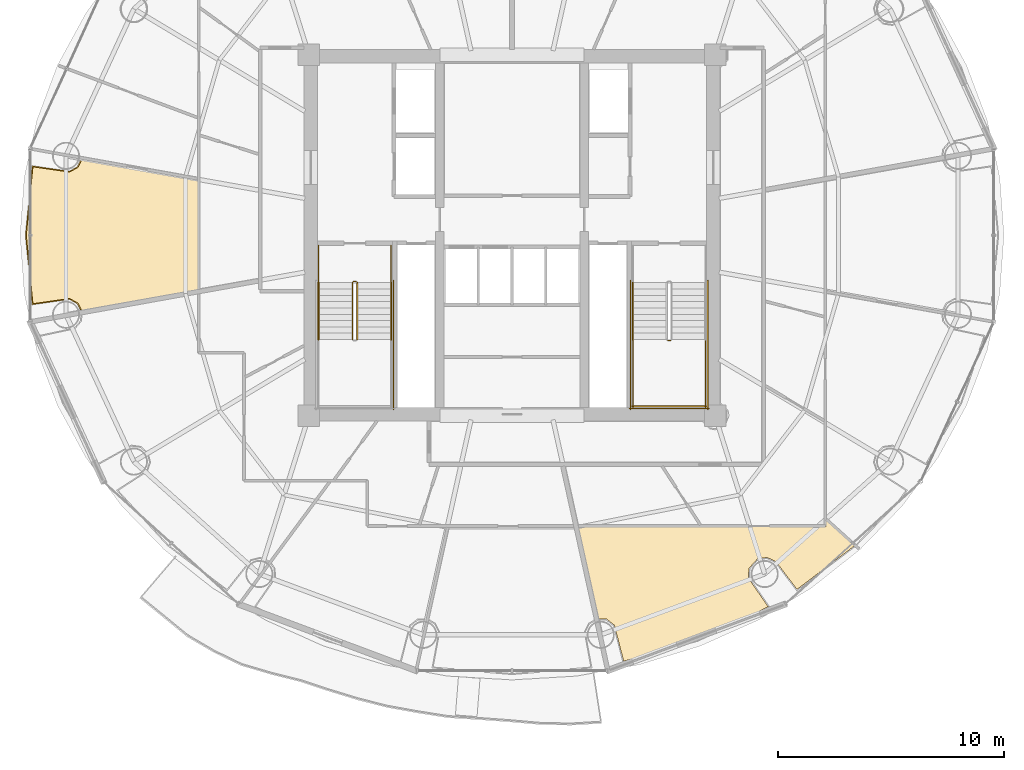
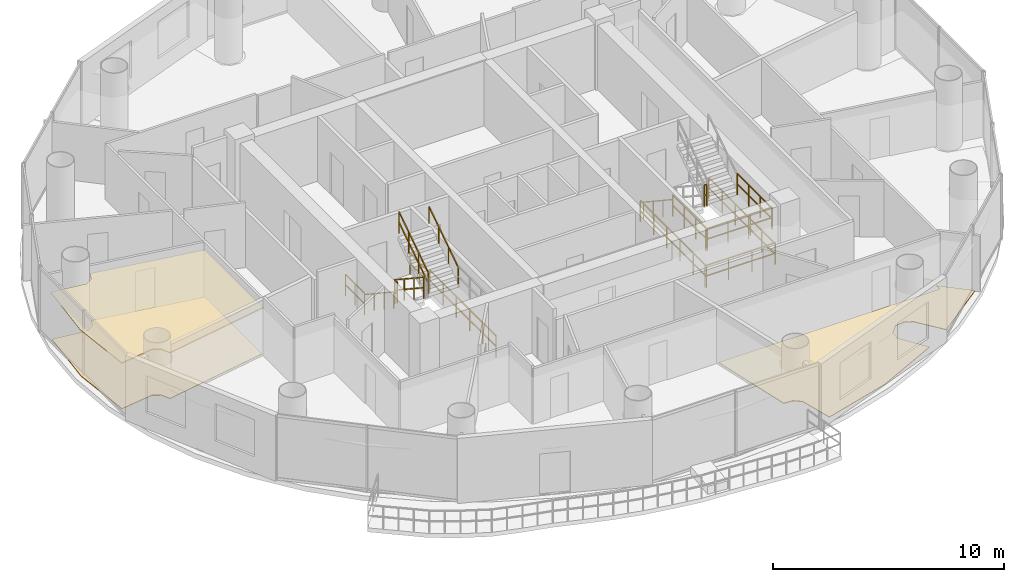
# One storey, part 25 of 27: 16 railings, 3 coverings.
"""IFC4 building model written with IfcOpenShell, lengths in metres."""

import ifcopenshell
import ifcopenshell.guid

model = None  # the IFC model being written
_history = None  # IfcOwnerHistory: only IFC2X3 demands one
_inside = {}  # id of a spatial element -> (the spatial element, [elements in it])
_under = {}  # id of a project, library or spatial element -> (it, [spatial elements below it])
_declared = {}  # id of a project -> (the project, [libraries it declares])
_typed = {}  # id of a type object -> (the type object, [elements of that type])
_made_of = {}  # id of a material, layer set ... -> (it, [elements and type objects made of it])


def new_model(schema):
    """Start an empty IFC model of exactly this schema.

    Asked for "IFC4X3", IfcOpenShell would pick the latest addendum, in which some entities
    have other attributes; the version numbers below select the first issue.
    IFC2X3 requires an IfcOwnerHistory on every rooted entity: one is made here for all.
    """
    global model, _history
    if schema == "IFC4X3":
        model = ifcopenshell.file(schema_version=(4, 3, 0, 0))
    else:
        model = ifcopenshell.file(schema=schema)
    _inside.clear()
    _under.clear()
    _declared.clear()
    _typed.clear()
    _made_of.clear()
    _history = None
    if model.schema == "IFC2X3":
        org = make("IfcOrganization", Name="unknown")
        user = make(
            "IfcPersonAndOrganization",
            ThePerson=make("IfcPerson", FamilyName="unknown"),
            TheOrganization=org,
        )
        app = make(
            "IfcApplication",
            ApplicationDeveloper=org,
            Version="unknown",
            ApplicationFullName="unknown",
            ApplicationIdentifier="unknown",
        )
        _history = make(
            "IfcOwnerHistory",
            OwningUser=user,
            OwningApplication=app,
            ChangeAction="ADDED",
            CreationDate=0,
        )
    return model


def make(cls, **values):
    """One entity of the class cls with the attributes given. An attribute that is None is left unset."""
    return model.create_entity(
        cls, **{name: value for name, value in values.items() if value is not None}
    )


def rooted(cls, **values):
    """An entity with a GlobalId (a new one), such as an element, a storey or a relation."""
    return make(cls, GlobalId=ifcopenshell.guid.new(), OwnerHistory=_history, **values)


def si_unit(unit_type, name, prefix=None):
    """IfcSIUnit, for example si_unit("LENGTHUNIT", "METRE", prefix="MILLI")."""
    return make("IfcSIUnit", UnitType=unit_type, Prefix=prefix, Name=name)


def assignment(units):
    """IfcUnitAssignment: the units of a project."""
    return None if units is None else make("IfcUnitAssignment", Units=units)


def point(xyz):
    """IfcCartesianPoint."""
    return None if xyz is None else make("IfcCartesianPoint", Coordinates=xyz)


def direction(xyz):
    """IfcDirection."""
    return None if xyz is None else make("IfcDirection", DirectionRatios=xyz)


def frame(location, z_axis=None, x_axis=None):
    """IfcAxis2Placement3D, a coordinate frame: its origin and axes. An axis left out is left unset."""
    return make(
        "IfcAxis2Placement3D",
        Location=point(location),
        Axis=direction(z_axis),
        RefDirection=direction(x_axis),
    )


def frame_2d(location, x_axis=None):
    """IfcAxis2Placement2D, a coordinate frame in the plane: its origin and x axis."""
    return make(
        "IfcAxis2Placement2D", Location=point(location), RefDirection=direction(x_axis)
    )


def origin():
    """The frame at (0, 0, 0) with its axes left unset."""
    return frame((0.0, 0.0, 0.0))


def origin_2d():
    """The frame at (0, 0) in the plane with its x axis left unset."""
    return frame_2d((0.0, 0.0))


def place(relative_to, where):
    """IfcLocalPlacement: puts the frame where relative to a parent placement (None: the world)."""
    return make(
        "IfcLocalPlacement", PlacementRelTo=relative_to, RelativePlacement=where
    )


def context(
    kind, dimensions, precision=None, world=None, true_north=None, identifier=None
):
    """IfcGeometricRepresentationContext, for example the 3D "Model" context."""
    return make(
        "IfcGeometricRepresentationContext",
        ContextIdentifier=identifier,
        ContextType=kind,
        CoordinateSpaceDimension=dimensions,
        Precision=precision,
        WorldCoordinateSystem=world,
        TrueNorth=true_north,
    )


def subcontext(parent, identifier, kind, view, scale=None):
    """IfcGeometricRepresentationSubContext, for example "Body" below "Model"."""
    return make(
        "IfcGeometricRepresentationSubContext",
        ContextIdentifier=identifier,
        ContextType=kind,
        ParentContext=parent,
        TargetScale=scale,
        TargetView=view,
    )


def project(units=None, contexts=None):
    """IfcProject with its units and contexts."""
    return rooted(
        "IfcProject",
        Name="project",
        RepresentationContexts=contexts,
        UnitsInContext=assignment(units),
    )


def spatial(cls, under=None, at=None, **own):
    """A site, building, storey or space (cls), placed at a placement, below another one or the project."""
    s = rooted(cls, ObjectPlacement=at, **own)
    if under is not None:
        _under.setdefault(under.id(), (under, []))[1].append(s)
    return s


def polyline(points):
    """IfcPolyline through the points."""
    return make("IfcPolyline", Points=[point(p) for p in points])


def profile(cls, at=None, kind="AREA", **sizes):
    """A parametric profile (cls). Its sizes go by their IFC names, for example OverallWidth=200.0."""
    return make(cls, ProfileType=kind, Position=at, **sizes)


def rectangle(**sizes):
    """IfcRectangleProfileDef."""
    return profile("IfcRectangleProfileDef", **sizes)


def outline(outer, holes=None, kind="AREA"):
    """IfcArbitraryClosedProfileDef: a profile drawn as a closed curve; with holes, ...WithVoids."""
    if holes is None:
        return make("IfcArbitraryClosedProfileDef", ProfileType=kind, OuterCurve=outer)
    return make(
        "IfcArbitraryProfileDefWithVoids",
        ProfileType=kind,
        OuterCurve=outer,
        InnerCurves=holes,
    )


def extrude(swept, where, along, depth):
    """IfcExtrudedAreaSolid: the profile swept, set in the frame where, extruded along a direction by depth."""
    return make(
        "IfcExtrudedAreaSolid",
        SweptArea=swept,
        Position=where,
        ExtrudedDirection=direction(along),
        Depth=depth,
    )


def shape(context_of_items, identifier, shape_type, items):
    """IfcShapeRepresentation: the items that make up one representation, for example the "Body"."""
    return make(
        "IfcShapeRepresentation",
        ContextOfItems=context_of_items,
        RepresentationIdentifier=identifier,
        RepresentationType=shape_type,
        Items=items,
    )


def material(Name=None, Category=None):
    """IfcMaterial."""
    return make("IfcMaterial", Name=Name, Category=Category)


def layer(
    of_material, thickness, ventilated=None, Name=None, Category=None, Priority=None
):
    """IfcMaterialLayer: one layer of a wall or slab, of a material (None: an air gap)."""
    return make(
        "IfcMaterialLayer",
        Material=of_material,
        LayerThickness=thickness,
        IsVentilated=ventilated,
        Name=Name,
        Category=Category,
        Priority=Priority,
    )


def layer_set(layers, Name=None):
    """IfcMaterialLayerSet."""
    return make("IfcMaterialLayerSet", MaterialLayers=layers, LayerSetName=Name)


def made_of(thing, what):
    """Note that an element or type object is made of a material, layer set ...; save() writes the relation."""
    if what is not None:
        _made_of.setdefault(what.id(), (what, []))[1].append(thing)
    return thing


def type_object(cls, material=None, **own):
    """A type object (cls), such as IfcWallType, which elements share."""
    return made_of(rooted(cls, **own), material)


def element(
    cls,
    number,
    at=None,
    inside=None,
    cuts=None,
    type_object=None,
    material=None,
    context=None,
    identifier="Body",
    shape_type=None,
    held_by="IfcProductDefinitionShape",
    body=None,
    shapes=None,
    **own,
):
    """One element of the class cls, such as IfcWall. Its Tag is "e" and its number.

    at: its placement. inside: the storey or other place that contains it. cuts: it is an
    opening in that element (IfcRelVoidsElement). A single representation is given by context,
    identifier, shape_type and body (its items); several are given by shapes. held_by: the class
    of the entity that holds the representations. save() writes the other relations.
    """
    e = rooted(cls, Tag="e%d" % number, ObjectPlacement=at, **own)
    if body is not None:
        shapes = [shape(context, identifier, shape_type, body)]
    if shapes is not None:
        e.Representation = make(held_by, Representations=shapes)
    if inside is not None:
        _inside.setdefault(inside.id(), (inside, []))[1].append(e)
    if cuts is not None:
        rooted(
            "IfcRelVoidsElement", RelatingBuildingElement=cuts, RelatedOpeningElement=e
        )
    if type_object is not None:
        _typed.setdefault(type_object.id(), (type_object, []))[1].append(e)
    return made_of(e, material)


def aggregate(whole, parts):
    """IfcRelAggregates: a whole, such as a stair, and the parts it consists of."""
    return rooted("IfcRelAggregates", RelatingObject=whole, RelatedObjects=parts)


def save(model, path):
    """Write the relations noted so far, then the file.

    IfcRelAggregates (storeys below a building ...), IfcRelContainedInSpatialStructure (elements
    in a storey), IfcRelDefinesByType, IfcRelAssociatesMaterial and IfcRelDeclares: one each for
    every whole, place, type object, material and project.
    """
    for whole, parts in _under.values():
        aggregate(whole, parts)
    for where, things in _inside.values():
        rooted(
            "IfcRelContainedInSpatialStructure",
            RelatedElements=things,
            RelatingStructure=where,
        )
    for kind, things in _typed.values():
        rooted("IfcRelDefinesByType", RelatedObjects=things, RelatingType=kind)
    for what, things in _made_of.values():
        rooted("IfcRelAssociatesMaterial", RelatedObjects=things, RelatingMaterial=what)
    for by, libraries in _declared.values():
        rooted("IfcRelDeclares", RelatingContext=by, RelatedDefinitions=libraries)
    model.write(path)


model = new_model("IFC4")

# Units and contexts
model_context = context("Model", 3, precision=1e-05, world=origin(), true_north=direction((-0.2419218956, 0.970295726276)))
body_context = subcontext(model_context, "Body", "Model", "MODEL_VIEW")
ifc_project = project(units=[si_unit("LENGTHUNIT", "METRE"), si_unit("AREAUNIT", "SQUARE_METRE"), si_unit("VOLUMEUNIT", "CUBIC_METRE"), si_unit("PLANEANGLEUNIT", "RADIAN"), si_unit("MASSUNIT", "GRAM", prefix="KILO")], contexts=[model_context])

# Site, building, storey
site_placement = place(None, origin())
site = spatial("IfcSite", under=ifc_project, at=site_placement, CompositionType="ELEMENT")
building_placement = place(site_placement, origin())
building = spatial("IfcBuilding", under=site, at=building_placement, Name="Cobrevalo Terracotta Tower", CompositionType="ELEMENT")
storey_placement = place(building_placement, frame((0.0, 0.0, 194.89990234375)))
storey = spatial("IfcBuildingStorey", under=building, at=storey_placement, Name="L51", CompositionType="ELEMENT", Elevation=194.89990234375)

# Coverings
ifc_material_1 = material(Name="Engineered Brazilian hardwood flooring", Category="wood")
ifc_layer_1 = layer(ifc_material_1, 0.028076171875)
ifc_layer_set_1 = layer_set([ifc_layer_1], Name="Engineered Brazilian hardwood flooring")
covering_type_1 = type_object("IfcCoveringType", Name="Engineered Hardwood Suite Flooring 28", PredefinedType="FLOORING", material=ifc_layer_set_1)
covering_1_placement = place(storey_placement, origin())
element("IfcCovering", 1, at=covering_1_placement, inside=storey, type_object=covering_type_1, Name="Flat L51B Penthouse Family Lounge floor finish", PredefinedType="FLOORING", context=body_context, shape_type="SweptSolid", body=[
    extrude(outline(polyline([(16.7734375, 29.83056640625), (18.39599609375, 29.5986328125), (18.770751953125, 29.80859375), (18.96337890625, 30.20166015625), (24.094970703125, 29.279052734375), (24.094970703125, 24.32080078125), (18.96337890625, 23.3984375), (18.770751953125, 23.791259765625), (18.39599609375, 24.00146484375), (16.7734375, 23.76953125), (16.47998046875, 26.800048828125), (16.7734375, 29.83056640625)])), origin(), (0.0, 0.0, 1.0), 0.030029296875),
])
covering_2_placement = place(storey_placement, origin())
element("IfcCovering", 2, at=covering_2_placement, inside=storey, type_object=covering_type_1, Name="Flat L51D Living and Dining Room floor finish", PredefinedType="FLOORING", context=body_context, shape_type="SweptSolid", body=[
    extrude(outline(polyline([(50.6279296875, 11.108154296875), (49.690185546875, 12.341796875), (49.30126953125, 12.5244140625), (48.87646484375, 12.460205078125), (48.497314453125, 12.039306640625), (48.477294921875, 11.610107421875), (49.3544921875, 10.34033203125), (46.236083984375, 8.858642578125), (42.9482421875, 7.93017578125), (42.537109375, 9.521484375), (42.198974609375, 9.78662109375), (41.759765625, 9.812255859375), (40.861083984375, 13.89501953125), (51.905029296875, 13.89501953125), (51.905029296875, 14.20751953125), (53.189697265625, 13.046630859375), (50.6279296875, 11.108154296875)])), origin(), (0.0, 0.0, 1.0), 0.030029296875),
])
ifc_material_2 = material(Name="Acoustic perforated gypsum ceiling", Category="gypsum")
ifc_layer_2 = layer(ifc_material_2, 0.050048828125)
ifc_layer_set_2 = layer_set([ifc_layer_2], Name="Acoustic perforated gypsum ceiling")
covering_type_2 = type_object("IfcCoveringType", Name="Perforated Acoustic Gypsum Ceiling 50", PredefinedType="CEILING", material=ifc_layer_set_2)
covering_3_placement = place(storey_placement, frame((0.0, 0.0, 2.445068359375)))
element("IfcCovering", 3, at=covering_3_placement, inside=storey, type_object=covering_type_2, Name="Flat L51B Penthouse Family Lounge acoustic ceiling", PredefinedType="CEILING", context=body_context, shape_type="SweptSolid", body=[
    extrude(outline(polyline([(16.73876953125, 29.88232421875), (18.386474609375, 29.642578125), (18.73828125, 29.83984375), (18.9296875, 30.25341796875), (24.139892578125, 29.316650390625), (24.139892578125, 24.283203125), (18.9296875, 23.3466796875), (18.73828125, 23.760009765625), (18.386474609375, 23.957275390625), (16.73876953125, 23.717529296875), (16.434814453125, 26.800048828125), (16.73876953125, 29.88232421875)])), origin(), (0.0, 0.0, 1.0), 0.050048828125),
])

# Railings
ifc_material_3 = material(Name="Brushed stainless steel", Category="steel")
railing_type_1 = type_object("IfcRailingType", Name="Stainless Steel Stair Handrail 900", PredefinedType="HANDRAIL", material=ifc_material_3)
railing_1_placement = place(storey_placement, frame((29.425048828125, 24.699951171875, 0.18505859375)))
element("IfcRailing", 4, at=railing_1_placement, inside=storey, type_object=railing_type_1, Name="L51 ST-1 stair handrail 1", PredefinedType="HANDRAIL", context=body_context, shape_type="SweptSolid", body=[
    extrude(rectangle(XDim=0.048095703125, YDim=0.048095703125, at=origin_2d()), frame((0.0, 0.0, 0.8759765625), z_axis=(0.0, -0.834331337432, 0.55126329406), x_axis=(1.0, 0.0, 0.0)), (0.0, 0.0, 1.0), 3.0205078125),
    extrude(rectangle(XDim=0.0419921875, YDim=0.0419921875, at=origin_2d()), origin(), (0.0, 0.0, 1.0), 0.851806640625),
    extrude(rectangle(XDim=0.0419921875, YDim=0.0419921875, at=origin_2d()), frame((0.0, -0.840087890625, 0.554931640625)), (0.0, 0.0, 1.0), 0.851806640625),
    extrude(rectangle(XDim=0.0419921875, YDim=0.0419921875, at=origin_2d()), frame((0.0, -1.679931640625, 1.110107421875)), (0.0, 0.0, 1.0), 0.851806640625),
    extrude(rectangle(XDim=0.0419921875, YDim=0.0419921875, at=origin_2d()), frame((0.0, -2.52001953125, 1.6650390625)), (0.0, 0.0, 1.0), 0.851806640625),
])
railing_2_placement = place(storey_placement, frame((32.64501953125, 22.179931640625, 2.03515625)))
element("IfcRailing", 5, at=railing_2_placement, inside=storey, type_object=railing_type_1, Name="L51 ST-1 stair handrail 2", PredefinedType="HANDRAIL", context=body_context, shape_type="SweptSolid", body=[
    extrude(rectangle(XDim=0.048095703125, YDim=0.048095703125, at=origin_2d()), frame((0.0, 0.0, 0.8759765625), z_axis=(0.0, 0.834331337432, 0.55126329406), x_axis=(-1.0, 0.0, 0.0)), (0.0, 0.0, 1.0), 3.0205078125),
    extrude(rectangle(XDim=0.0419921875, YDim=0.0419921875, at=origin_2d()), origin(), (0.0, 0.0, 1.0), 0.851806640625),
    extrude(rectangle(XDim=0.0419921875, YDim=0.0419921875, at=origin_2d()), frame((0.0, 0.840087890625, 0.554931640625)), (0.0, 0.0, 1.0), 0.851806640625),
    extrude(rectangle(XDim=0.0419921875, YDim=0.0419921875, at=origin_2d()), frame((0.0, 1.679931640625, 1.110107421875)), (0.0, 0.0, 1.0), 0.851806640625),
    extrude(rectangle(XDim=0.0419921875, YDim=0.0419921875, at=origin_2d()), frame((0.0, 2.52001953125, 1.6650390625)), (0.0, 0.0, 1.0), 0.851806640625),
])
railing_3_placement = place(storey_placement, frame((43.35498046875, 24.699951171875, 0.18505859375)))
element("IfcRailing", 6, at=railing_3_placement, inside=storey, type_object=railing_type_1, Name="L51 ST-2 stair handrail 1", PredefinedType="HANDRAIL", context=body_context, shape_type="SweptSolid", body=[
    extrude(rectangle(XDim=0.048095703125, YDim=0.048095703125, at=origin_2d()), frame((0.0, 0.0, 0.8759765625), z_axis=(0.0, -0.834331337432, 0.55126329406), x_axis=(1.0, 0.0, 0.0)), (0.0, 0.0, 1.0), 3.0205078125),
    extrude(rectangle(XDim=0.0419921875, YDim=0.0419921875, at=origin_2d()), origin(), (0.0, 0.0, 1.0), 0.851806640625),
    extrude(rectangle(XDim=0.0419921875, YDim=0.0419921875, at=origin_2d()), frame((0.0, -0.840087890625, 0.554931640625)), (0.0, 0.0, 1.0), 0.851806640625),
    extrude(rectangle(XDim=0.0419921875, YDim=0.0419921875, at=origin_2d()), frame((0.0, -1.679931640625, 1.110107421875)), (0.0, 0.0, 1.0), 0.851806640625),
    extrude(rectangle(XDim=0.0419921875, YDim=0.0419921875, at=origin_2d()), frame((0.0, -2.52001953125, 1.6650390625)), (0.0, 0.0, 1.0), 0.851806640625),
])
ifc_material_4 = material(Name="Painted galvanized steel", Category="steel")
railing_type_2 = type_object("IfcRailingType", Name="Stair Well Guard Balustrade 1150", PredefinedType="GUARDRAIL", material=ifc_material_4)
railing_4_placement = place(storey_placement, frame((30.925048828125, 24.699951171875, 0.18505859375)))
element("IfcRailing", 7, at=railing_4_placement, inside=storey, type_object=railing_type_2, Name="L51 ST-1 stair guard 1", PredefinedType="GUARDRAIL", context=body_context, shape_type="SweptSolid", body=[
    extrude(rectangle(XDim=0.048095703125, YDim=0.048095703125, at=origin_2d()), frame((0.0, 0.0, 1.1259765625), z_axis=(0.0, -0.834331337432, 0.55126329406), x_axis=(1.0, 0.0, 0.0)), (0.0, 0.0, 1.0), 3.0205078125),
    extrude(rectangle(XDim=0.048095703125, YDim=0.048095703125, at=origin_2d()), frame((0.0, 0.0, 0.574951171875), z_axis=(0.0, -0.834331337432, 0.55126329406), x_axis=(1.0, 0.0, 0.0)), (0.0, 0.0, 1.0), 3.0205078125),
    extrude(rectangle(XDim=0.0419921875, YDim=0.0419921875, at=origin_2d()), origin(), (0.0, 0.0, 1.0), 1.101806640625),
    extrude(rectangle(XDim=0.0419921875, YDim=0.0419921875, at=origin_2d()), frame((0.0, -0.840087890625, 0.554931640625)), (0.0, 0.0, 1.0), 1.101806640625),
    extrude(rectangle(XDim=0.0419921875, YDim=0.0419921875, at=origin_2d()), frame((0.0, -1.679931640625, 1.110107421875)), (0.0, 0.0, 1.0), 1.101806640625),
    extrude(rectangle(XDim=0.0419921875, YDim=0.0419921875, at=origin_2d()), frame((0.0, -2.52001953125, 1.6650390625)), (0.0, 0.0, 1.0), 1.101806640625),
])
railing_5_placement = place(storey_placement, frame((31.14501953125, 22.179931640625, 2.03515625)))
element("IfcRailing", 8, at=railing_5_placement, inside=storey, type_object=railing_type_2, Name="L51 ST-1 stair guard 6", PredefinedType="GUARDRAIL", context=body_context, shape_type="SweptSolid", body=[
    extrude(rectangle(XDim=0.048095703125, YDim=0.048095703125, at=origin_2d()), frame((0.0, 0.0, 1.1259765625), z_axis=(0.0, 0.834331337432, 0.55126329406), x_axis=(-1.0, 0.0, 0.0)), (0.0, 0.0, 1.0), 3.0205078125),
    extrude(rectangle(XDim=0.048095703125, YDim=0.048095703125, at=origin_2d()), frame((0.0, 0.0, 0.574951171875), z_axis=(0.0, 0.834331337432, 0.55126329406), x_axis=(-1.0, 0.0, 0.0)), (0.0, 0.0, 1.0), 3.0205078125),
    extrude(rectangle(XDim=0.0419921875, YDim=0.0419921875, at=origin_2d()), origin(), (0.0, 0.0, 1.0), 1.101806640625),
    extrude(rectangle(XDim=0.0419921875, YDim=0.0419921875, at=origin_2d()), frame((0.0, 0.840087890625, 0.554931640625)), (0.0, 0.0, 1.0), 1.101806640625),
    extrude(rectangle(XDim=0.0419921875, YDim=0.0419921875, at=origin_2d()), frame((0.0, 1.679931640625, 1.110107421875)), (0.0, 0.0, 1.0), 1.101806640625),
    extrude(rectangle(XDim=0.0419921875, YDim=0.0419921875, at=origin_2d()), frame((0.0, 2.52001953125, 1.6650390625)), (0.0, 0.0, 1.0), 1.101806640625),
])
railing_6_placement = place(storey_placement, frame((30.97509765625, 24.75, 0.0)))
element("IfcRailing", 9, at=railing_6_placement, inside=storey, type_object=railing_type_2, Name="L51 ST-1 stair guard 7", PredefinedType="GUARDRAIL", context=body_context, shape_type="SweptSolid", body=[
    extrude(rectangle(XDim=0.048095703125, YDim=0.048095703125, at=origin_2d()), frame((0.0, 0.0, 1.1259765625), z_axis=(1.0, 0.0, 0.0), x_axis=(0.0, 1.0, 0.0)), (0.0, 0.0, 1.0), 0.119873046875),
    extrude(rectangle(XDim=0.048095703125, YDim=0.048095703125, at=origin_2d()), frame((0.0, 0.0, 0.574951171875), z_axis=(1.0, 0.0, 0.0), x_axis=(0.0, 1.0, 0.0)), (0.0, 0.0, 1.0), 0.119873046875),
    extrude(rectangle(XDim=0.0419921875, YDim=0.0419921875, at=origin_2d()), origin(), (0.0, 0.0, 1.0), 1.101806640625),
    extrude(rectangle(XDim=0.0419921875, YDim=0.0419921875, at=origin_2d()), frame((0.119873046875, 0.0, 0.0)), (0.0, 0.0, 1.0), 1.101806640625),
])
for number, where, name in (
    (10, (29.425048828125, 26.35009765625, 0.0), "L51 ST-1 stair guard 8"),
    (11, (32.64501953125, 26.35009765625, 0.0), "L51 ST-1 stair guard 9"),
):
    element("IfcRailing", number, at=place(storey_placement, frame(where)), inside=storey, type_object=railing_type_2, Name=name, PredefinedType="GUARDRAIL", context=body_context, shape_type="SweptSolid", body=[
        extrude(rectangle(XDim=0.048095703125, YDim=0.048095703125, at=origin_2d()), frame((0.0, 0.0, 1.1259765625), z_axis=(0.0, -1.0, 0.0), x_axis=(1.0, 0.0, 0.0)), (0.0, 0.0, 1.0), 1.650146484375),
        extrude(rectangle(XDim=0.048095703125, YDim=0.048095703125, at=origin_2d()), frame((0.0, 0.0, 0.574951171875), z_axis=(0.0, -1.0, 0.0), x_axis=(1.0, 0.0, 0.0)), (0.0, 0.0, 1.0), 1.650146484375),
        extrude(rectangle(XDim=0.0419921875, YDim=0.0419921875, at=origin_2d()), origin(), (0.0, 0.0, 1.0), 1.101806640625),
        extrude(rectangle(XDim=0.0419921875, YDim=0.0419921875, at=origin_2d()), frame((0.0, -0.8251953125, 0.0)), (0.0, 0.0, 1.0), 1.101806640625),
        extrude(rectangle(XDim=0.0419921875, YDim=0.0419921875, at=origin_2d()), frame((0.0, -1.650146484375, 0.0)), (0.0, 0.0, 1.0), 1.101806640625),
    ])
railing_7_placement = place(storey_placement, frame((32.7451171875, 24.800048828125, 0.0)))
element("IfcRailing", 12, at=railing_7_placement, inside=storey, type_object=railing_type_2, Name="L51 ST-1 stair guard 11", PredefinedType="GUARDRAIL", context=body_context, shape_type="SweptSolid", body=[
    extrude(rectangle(XDim=0.048095703125, YDim=0.048095703125, at=origin_2d()), frame((0.0, 0.0, 1.1259765625), z_axis=(0.0, -1.0, 0.0), x_axis=(1.0, 0.0, 0.0)), (0.0, 0.0, 1.0), 5.72509765625),
    extrude(rectangle(XDim=0.048095703125, YDim=0.048095703125, at=origin_2d()), frame((0.0, 0.0, 0.574951171875), z_axis=(0.0, -1.0, 0.0), x_axis=(1.0, 0.0, 0.0)), (0.0, 0.0, 1.0), 5.72509765625),
    extrude(rectangle(XDim=0.0419921875, YDim=0.0419921875, at=origin_2d()), origin(), (0.0, 0.0, 1.0), 1.101806640625),
    extrude(rectangle(XDim=0.0419921875, YDim=0.0419921875, at=origin_2d()), frame((0.0, -1.14501953125, 0.0)), (0.0, 0.0, 1.0), 1.101806640625),
    extrude(rectangle(XDim=0.0419921875, YDim=0.0419921875, at=origin_2d()), frame((0.0, -2.2900390625, 0.0)), (0.0, 0.0, 1.0), 1.101806640625),
    extrude(rectangle(XDim=0.0419921875, YDim=0.0419921875, at=origin_2d()), frame((0.0, -3.43505859375, 0.0)), (0.0, 0.0, 1.0), 1.101806640625),
    extrude(rectangle(XDim=0.0419921875, YDim=0.0419921875, at=origin_2d()), frame((0.0, -4.580078125, 0.0)), (0.0, 0.0, 1.0), 1.101806640625),
    extrude(rectangle(XDim=0.0419921875, YDim=0.0419921875, at=origin_2d()), frame((0.0, -5.72509765625, 0.0)), (0.0, 0.0, 1.0), 1.101806640625),
])
railing_8_placement = place(storey_placement, frame((44.905029296875, 22.1298828125, 1.85009765625)))
element("IfcRailing", 13, at=railing_8_placement, inside=storey, type_object=railing_type_2, Name="L51 ST-2 stair guard 2", PredefinedType="GUARDRAIL", context=body_context, shape_type="SweptSolid", body=[
    extrude(rectangle(XDim=0.048095703125, YDim=0.048095703125, at=origin_2d()), frame((0.0, 0.0, 1.1259765625), z_axis=(1.0, 0.0, 0.0), x_axis=(0.0, 1.0, 0.0)), (0.0, 0.0, 1.0), 0.119873046875),
    extrude(rectangle(XDim=0.048095703125, YDim=0.048095703125, at=origin_2d()), frame((0.0, 0.0, 0.574951171875), z_axis=(1.0, 0.0, 0.0), x_axis=(0.0, 1.0, 0.0)), (0.0, 0.0, 1.0), 0.119873046875),
    extrude(rectangle(XDim=0.0419921875, YDim=0.0419921875, at=origin_2d()), origin(), (0.0, 0.0, 1.0), 1.101806640625),
    extrude(rectangle(XDim=0.0419921875, YDim=0.0419921875, at=origin_2d()), frame((0.119873046875, 0.0, 0.0)), (0.0, 0.0, 1.0), 1.101806640625),
])
for number, where, name in (
    (14, (43.35498046875, 22.179931640625, 1.85009765625), "L51 ST-2 stair guard 3"),
    (15, (46.574951171875, 22.179931640625, 1.85009765625), "L51 ST-2 stair guard 4"),
):
    element("IfcRailing", number, at=place(storey_placement, frame(where)), inside=storey, type_object=railing_type_2, Name=name, PredefinedType="GUARDRAIL", context=body_context, shape_type="SweptSolid", body=[
        extrude(rectangle(XDim=0.048095703125, YDim=0.048095703125, at=origin_2d()), frame((0.0, 0.0, 1.1259765625), z_axis=(0.0, -1.0, 0.0), x_axis=(1.0, 0.0, 0.0)), (0.0, 0.0, 1.0), 3.0048828125),
        extrude(rectangle(XDim=0.048095703125, YDim=0.048095703125, at=origin_2d()), frame((0.0, 0.0, 0.574951171875), z_axis=(0.0, -1.0, 0.0), x_axis=(1.0, 0.0, 0.0)), (0.0, 0.0, 1.0), 3.0048828125),
        extrude(rectangle(XDim=0.0419921875, YDim=0.0419921875, at=origin_2d()), origin(), (0.0, 0.0, 1.0), 1.101806640625),
        extrude(rectangle(XDim=0.0419921875, YDim=0.0419921875, at=origin_2d()), frame((0.0, -1.001708984375, 0.0)), (0.0, 0.0, 1.0), 1.101806640625),
        extrude(rectangle(XDim=0.0419921875, YDim=0.0419921875, at=origin_2d()), frame((0.0, -2.003173828125, 0.0)), (0.0, 0.0, 1.0), 1.101806640625),
        extrude(rectangle(XDim=0.0419921875, YDim=0.0419921875, at=origin_2d()), frame((0.0, -3.0048828125, 0.0)), (0.0, 0.0, 1.0), 1.101806640625),
    ])
railing_9_placement = place(storey_placement, frame((43.304931640625, 19.22509765625, 1.85009765625)))
element("IfcRailing", 16, at=railing_9_placement, inside=storey, type_object=railing_type_2, Name="L51 ST-2 stair guard 5", PredefinedType="GUARDRAIL", context=body_context, shape_type="SweptSolid", body=[
    extrude(rectangle(XDim=0.048095703125, YDim=0.048095703125, at=origin_2d()), frame((0.0, 0.0, 1.1259765625), z_axis=(1.0, 0.0, 0.0), x_axis=(0.0, 1.0, 0.0)), (0.0, 0.0, 1.0), 3.320068359375),
    extrude(rectangle(XDim=0.048095703125, YDim=0.048095703125, at=origin_2d()), frame((0.0, 0.0, 0.574951171875), z_axis=(1.0, 0.0, 0.0), x_axis=(0.0, 1.0, 0.0)), (0.0, 0.0, 1.0), 3.320068359375),
    extrude(rectangle(XDim=0.0419921875, YDim=0.0419921875, at=origin_2d()), origin(), (0.0, 0.0, 1.0), 1.101806640625),
    extrude(rectangle(XDim=0.0419921875, YDim=0.0419921875, at=origin_2d()), frame((1.106689453125, 0.0, 0.0)), (0.0, 0.0, 1.0), 1.101806640625),
    extrude(rectangle(XDim=0.0419921875, YDim=0.0419921875, at=origin_2d()), frame((2.21337890625, 0.0, 0.0)), (0.0, 0.0, 1.0), 1.101806640625),
    extrude(rectangle(XDim=0.0419921875, YDim=0.0419921875, at=origin_2d()), frame((3.320068359375, 0.0, 0.0)), (0.0, 0.0, 1.0), 1.101806640625),
])
for number, where, name in (
    (17, (43.2548828125, 24.800048828125, 0.0), "L51 ST-2 stair guard 10"),
    (18, (46.675048828125, 24.800048828125, 0.0), "L51 ST-2 stair guard 11"),
):
    element("IfcRailing", number, at=place(storey_placement, frame(where)), inside=storey, type_object=railing_type_2, Name=name, PredefinedType="GUARDRAIL", context=body_context, shape_type="SweptSolid", body=[
        extrude(rectangle(XDim=0.048095703125, YDim=0.048095703125, at=origin_2d()), frame((0.0, 0.0, 1.1259765625), z_axis=(0.0, -1.0, 0.0), x_axis=(1.0, 0.0, 0.0)), (0.0, 0.0, 1.0), 5.72509765625),
        extrude(rectangle(XDim=0.048095703125, YDim=0.048095703125, at=origin_2d()), frame((0.0, 0.0, 0.574951171875), z_axis=(0.0, -1.0, 0.0), x_axis=(1.0, 0.0, 0.0)), (0.0, 0.0, 1.0), 5.72509765625),
        extrude(rectangle(XDim=0.0419921875, YDim=0.0419921875, at=origin_2d()), origin(), (0.0, 0.0, 1.0), 1.101806640625),
        extrude(rectangle(XDim=0.0419921875, YDim=0.0419921875, at=origin_2d()), frame((0.0, -1.14501953125, 0.0)), (0.0, 0.0, 1.0), 1.101806640625),
        extrude(rectangle(XDim=0.0419921875, YDim=0.0419921875, at=origin_2d()), frame((0.0, -2.2900390625, 0.0)), (0.0, 0.0, 1.0), 1.101806640625),
        extrude(rectangle(XDim=0.0419921875, YDim=0.0419921875, at=origin_2d()), frame((0.0, -3.43505859375, 0.0)), (0.0, 0.0, 1.0), 1.101806640625),
        extrude(rectangle(XDim=0.0419921875, YDim=0.0419921875, at=origin_2d()), frame((0.0, -4.580078125, 0.0)), (0.0, 0.0, 1.0), 1.101806640625),
        extrude(rectangle(XDim=0.0419921875, YDim=0.0419921875, at=origin_2d()), frame((0.0, -5.72509765625, 0.0)), (0.0, 0.0, 1.0), 1.101806640625),
    ])
railing_10_placement = place(storey_placement, frame((43.205078125, 19.125, 0.0)))
element("IfcRailing", 19, at=railing_10_placement, inside=storey, type_object=railing_type_2, Name="L51 ST-2 stair guard 12", PredefinedType="GUARDRAIL", context=body_context, shape_type="SweptSolid", body=[
    extrude(rectangle(XDim=0.048095703125, YDim=0.048095703125, at=origin_2d()), frame((0.0, 0.0, 1.1259765625), z_axis=(1.0, 0.0, 0.0), x_axis=(0.0, 1.0, 0.0)), (0.0, 0.0, 1.0), 3.52001953125),
    extrude(rectangle(XDim=0.048095703125, YDim=0.048095703125, at=origin_2d()), frame((0.0, 0.0, 0.574951171875), z_axis=(1.0, 0.0, 0.0), x_axis=(0.0, 1.0, 0.0)), (0.0, 0.0, 1.0), 3.52001953125),
    extrude(rectangle(XDim=0.0419921875, YDim=0.0419921875, at=origin_2d()), origin(), (0.0, 0.0, 1.0), 1.101806640625),
    extrude(rectangle(XDim=0.0419921875, YDim=0.0419921875, at=origin_2d()), frame((1.17333984375, 0.0, 0.0)), (0.0, 0.0, 1.0), 1.101806640625),
    extrude(rectangle(XDim=0.0419921875, YDim=0.0419921875, at=origin_2d()), frame((2.3466796875, 0.0, 0.0)), (0.0, 0.0, 1.0), 1.101806640625),
    extrude(rectangle(XDim=0.0419921875, YDim=0.0419921875, at=origin_2d()), frame((3.52001953125, 0.0, 0.0)), (0.0, 0.0, 1.0), 1.101806640625),
])

save(model, "model.ifc")
